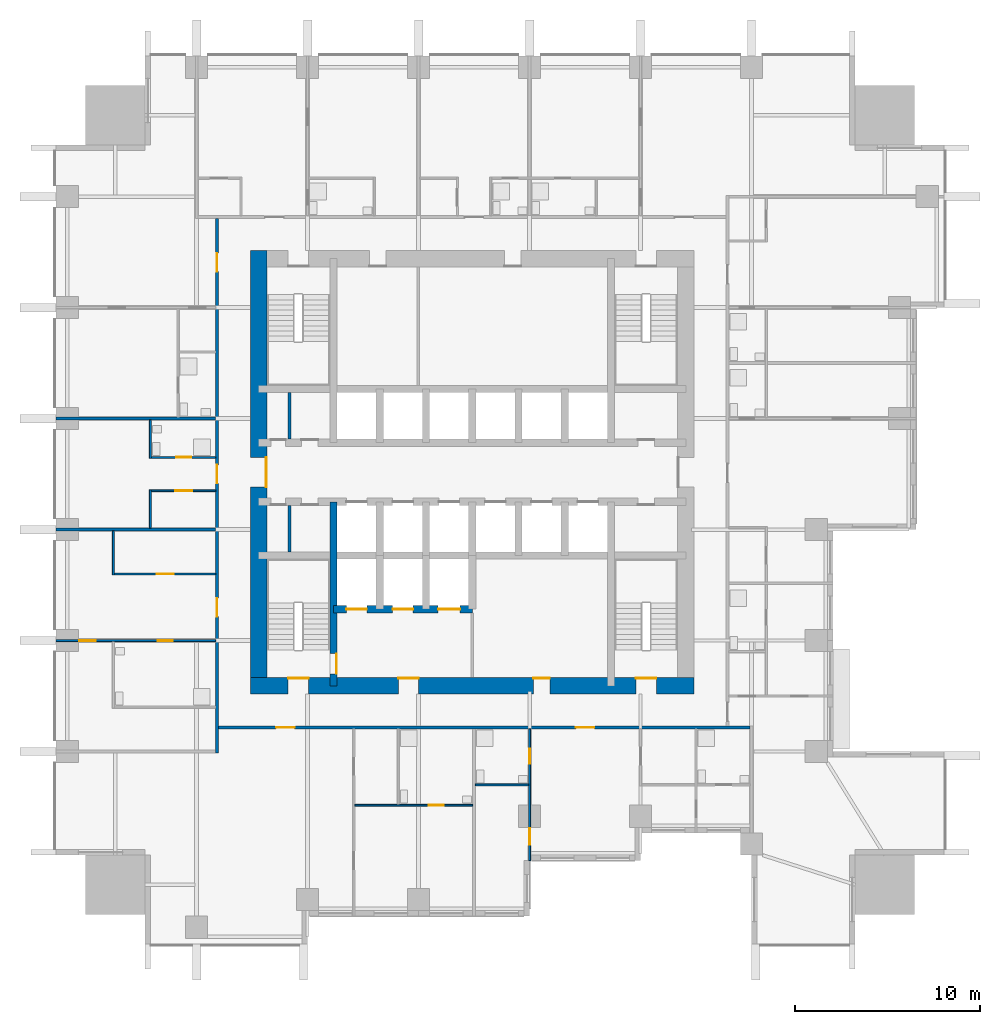
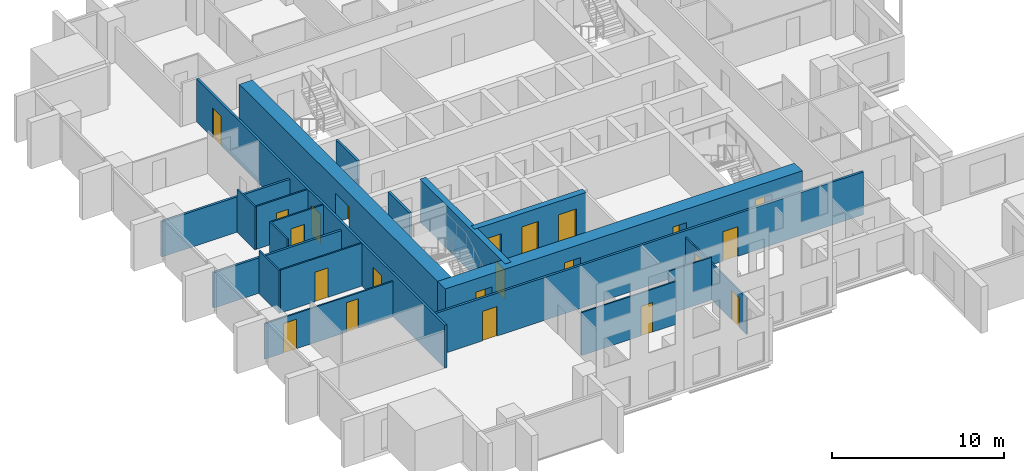
# One storey, part 4 of 11: 22 doors, 20 walls, 22 openings.
"""IFC4 building model written with IfcOpenShell, lengths in metres."""

from ifc_helpers import new_model, si_unit, direction, frame, frame_2d, origin, place, context, subcontext, project, spatial, rectangle, extrude, material, layer, layer_set, type_object, element, fill, save


model = new_model("IFC4")

# Units and contexts
model_context = context("Model", 3, precision=1e-05, world=origin(), true_north=direction((0.0, 1.0)))
body_context = subcontext(model_context, "Body", "Model", "MODEL_VIEW")
ifc_project = project(units=[si_unit("LENGTHUNIT", "METRE"), si_unit("AREAUNIT", "SQUARE_METRE"), si_unit("VOLUMEUNIT", "CUBIC_METRE"), si_unit("PLANEANGLEUNIT", "RADIAN"), si_unit("MASSUNIT", "GRAM", prefix="KILO")], contexts=[model_context])

# Site, building, storey
site_placement = place(None, origin())
site = spatial("IfcSite", under=ifc_project, at=site_placement, CompositionType="ELEMENT")
building_placement = place(site_placement, origin())
building = spatial("IfcBuilding", under=site, at=building_placement, Name="Amberfall Residences", CompositionType="ELEMENT")
storey_placement = place(building_placement, frame((0.0, 0.0, 59.800048828125)))
storey = spatial("IfcBuildingStorey", under=building, at=storey_placement, Name="L16", CompositionType="ELEMENT", Elevation=59.800048828125)

# Wall, opening, door
ifc_material_1 = material(Name="Concrete C80", Category="concrete")
ifc_layer_1 = layer(ifc_material_1, 0.39990234375)
ifc_layer_set_1 = layer_set([ifc_layer_1], Name="Core wall 400 C80")
wall_type_1 = type_object("IfcWallType", Name="Core wall 400 C80", PredefinedType="SHEAR", material=ifc_layer_set_1)
wall_1_placement = place(storey_placement, frame((67.0, 33.949951171875, 0.0), z_axis=(0.0, 0.0, 1.0), x_axis=(0.0, 1.0, 0.0)))
wall_1 = element("IfcWall", 1, at=wall_1_placement, inside=storey, type_object=wall_type_1, Name="Core wall RW2 L16 V45S", PredefinedType="SHEAR", context=body_context, shape_type="SweptSolid", body=[
    extrude(rectangle(XDim=9.949951171875, YDim=0.39990234375, at=frame_2d((4.97509765625, 0.0))), origin(), (0.0, 0.0, 1.0), 3.050048828125),
])
opening_1_placement = place(wall_1_placement, frame((0.64990234375, 0.0, 0.0)))
opening_1 = element("IfcOpeningElement", 2, at=opening_1_placement, cuts=wall_1, Name="Opening FL1", PredefinedType="OPENING", context=body_context, shape_type="SweptSolid", body=[
    extrude(rectangle(XDim=1.10009765625, YDim=2.10009765625, at=frame_2d((0.550048828125, 1.050048828125))), frame((0.0, 0.2099609375, 0.0), z_axis=(0.0, -1.0, 0.0), x_axis=(1.0, 0.0, 0.0)), (0.0, 0.0, 1.0), 0.419921875),
])
ifc_material_2 = material(Name="Steel fire door set", Category="steel")
door_type_1 = type_object("IfcDoorType", Name="Firefighting lobby door 1100 x 2100", OperationType="SINGLE_SWING_LEFT", PredefinedType="DOOR", material=ifc_material_2)
door_1_placement = place(opening_1_placement, origin())
door_1 = element("IfcDoor", 3, at=door_1_placement, inside=storey, type_object=door_type_1, Name="FL1 L16", OperationType="SINGLE_SWING_RIGHT", OverallHeight=2.10009765625, OverallWidth=1.10009765625, PredefinedType="DOOR", context=body_context, shape_type="SweptSolid", body=[
    extrude(rectangle(XDim=1.10009765625, YDim=2.10009765625, at=frame_2d((0.550048828125, 1.050048828125))), frame((0.0, -0.1376953125, 0.0), z_axis=(0.0, -1.0, 0.0), x_axis=(1.0, 0.0, 0.0)), (0.0, 0.0, 1.0), 0.050048828125),
])
fill(opening_1, door_1)

# Wall, openings, doors
wall_2_placement = place(storey_placement, frame((67.0, 38.10009765625, 0.0), z_axis=(0.0, 0.0, 1.0), x_axis=(1.0, 0.0, 0.0)))
wall_2 = element("IfcWall", 4, at=wall_2_placement, inside=storey, type_object=wall_type_1, Name="Core wall RW2 L16 FFF", PredefinedType="SHEAR", context=body_context, shape_type="SweptSolid", body=[
    extrude(rectangle(XDim=7.5, YDim=0.39990234375, at=frame_2d((3.75, 0.0))), origin(), (0.0, 0.0, 1.0), 3.050048828125),
])
opening_2_placement = place(wall_2_placement, frame((0.699951171875, 0.0, 0.0)))
opening_2 = element("IfcOpeningElement", 5, at=opening_2_placement, cuts=wall_2, Name="Opening LD2", PredefinedType="OPENING", context=body_context, shape_type="SweptSolid", body=[
    extrude(rectangle(XDim=1.10009765625, YDim=2.10009765625, at=frame_2d((0.550048828125, 1.050048828125))), frame((0.0, 0.2099609375, 0.0), z_axis=(0.0, -1.0, 0.0), x_axis=(1.0, 0.0, 0.0)), (0.0, 0.0, 1.0), 0.419921875),
])
opening_3_placement = place(wall_2_placement, frame((3.199951171875, 0.0, 0.0)))
opening_3 = element("IfcOpeningElement", 6, at=opening_3_placement, cuts=wall_2, Name="Opening LD2", PredefinedType="OPENING", context=body_context, shape_type="SweptSolid", body=[
    extrude(rectangle(XDim=1.10009765625, YDim=2.10009765625, at=frame_2d((0.550048828125, 1.050048828125))), frame((0.0, 0.2099609375, 0.0), z_axis=(0.0, -1.0, 0.0), x_axis=(1.0, 0.0, 0.0)), (0.0, 0.0, 1.0), 0.419921875),
])
opening_4_placement = place(wall_2_placement, frame((5.64990234375, 0.0, 0.0)))
opening_4 = element("IfcOpeningElement", 7, at=opening_4_placement, cuts=wall_2, Name="Opening LD3", PredefinedType="OPENING", context=body_context, shape_type="SweptSolid", body=[
    extrude(rectangle(XDim=1.199951171875, YDim=2.10009765625, at=frame_2d((0.60009765625, 1.050048828125))), frame((0.0, 0.2099609375, 0.0), z_axis=(0.0, -1.0, 0.0), x_axis=(1.0, 0.0, 0.0)), (0.0, 0.0, 1.0), 0.419921875),
])
door_type_2 = type_object("IfcDoorType", Name="Firefighting lift landing door 1100 x 2100", OperationType="DOUBLE_DOOR_SLIDING", PredefinedType="DOOR", material=ifc_material_2)
door_2_placement = place(opening_2_placement, origin())
door_2 = element("IfcDoor", 8, at=door_2_placement, inside=storey, type_object=door_type_2, Name="Landing door FF1 L16", OperationType="DOUBLE_DOOR_SLIDING", OverallHeight=2.10009765625, OverallWidth=1.10009765625, PredefinedType="DOOR", context=body_context, shape_type="SweptSolid", body=[
    extrude(rectangle(XDim=1.10009765625, YDim=2.10009765625, at=frame_2d((0.550048828125, 1.050048828125))), frame((0.0, 0.02490234375, 0.0), z_axis=(0.0, -1.0, 0.0), x_axis=(1.0, 0.0, 0.0)), (0.0, 0.0, 1.0), 0.050048828125),
])
fill(opening_2, door_2)
door_3_placement = place(opening_3_placement, origin())
door_3 = element("IfcDoor", 9, at=door_3_placement, inside=storey, type_object=door_type_2, Name="Landing door FF2 L16", OperationType="DOUBLE_DOOR_SLIDING", OverallHeight=2.10009765625, OverallWidth=1.10009765625, PredefinedType="DOOR", context=body_context, shape_type="SweptSolid", body=[
    extrude(rectangle(XDim=1.10009765625, YDim=2.10009765625, at=frame_2d((0.550048828125, 1.050048828125))), frame((0.0, 0.02490234375, 0.0), z_axis=(0.0, -1.0, 0.0), x_axis=(1.0, 0.0, 0.0)), (0.0, 0.0, 1.0), 0.050048828125),
])
fill(opening_3, door_3)
door_type_3 = type_object("IfcDoorType", Name="Service lift landing door 1200 x 2100", OperationType="DOUBLE_DOOR_SLIDING", PredefinedType="DOOR", material=ifc_material_2)
door_4_placement = place(opening_4_placement, origin())
door_4 = element("IfcDoor", 10, at=door_4_placement, inside=storey, type_object=door_type_3, Name="Landing door SL1 L16", OperationType="DOUBLE_DOOR_SLIDING", OverallHeight=2.10009765625, OverallWidth=1.199951171875, PredefinedType="DOOR", context=body_context, shape_type="SweptSolid", body=[
    extrude(rectangle(XDim=1.199951171875, YDim=2.10009765625, at=frame_2d((0.60009765625, 1.050048828125))), frame((0.0, 0.02490234375, 0.0), z_axis=(0.0, -1.0, 0.0), x_axis=(1.0, 0.0, 0.0)), (0.0, 0.0, 1.0), 0.050048828125),
])
fill(opening_4, door_4)

ifc_layer_2 = layer(ifc_material_1, 0.89990234375)
ifc_layer_set_2 = layer_set([ifc_layer_2], Name="Core wall 900 C80")
wall_type_2 = type_object("IfcWallType", Name="Core wall 900 C80", PredefinedType="SHEAR", material=ifc_layer_set_2)
wall_3_placement = place(storey_placement, frame((62.5, 33.949951171875, 0.0), z_axis=(0.0, 0.0, 1.0), x_axis=(1.0, 0.0, 0.0)))
wall_3 = element("IfcWall", 11, at=wall_3_placement, inside=storey, type_object=wall_type_2, Name="Core wall RW1 L16 OS", PredefinedType="SHEAR", context=body_context, shape_type="SweptSolid", body=[
    extrude(rectangle(XDim=24.0, YDim=0.89990234375, at=frame_2d((12.0, 0.0))), origin(), (0.0, 0.0, 1.0), 3.050048828125),
])
opening_5_placement = place(wall_3_placement, frame((2.050048828125, 0.0, 0.0)))
opening_5 = element("IfcOpeningElement", 12, at=opening_5_placement, cuts=wall_3, Name="Opening SD1", PredefinedType="OPENING", context=body_context, shape_type="SweptSolid", body=[
    extrude(rectangle(XDim=1.10009765625, YDim=2.10009765625, at=frame_2d((0.550048828125, 1.050048828125))), frame((0.0, 0.4599609375, 0.0), z_axis=(0.0, -1.0, 0.0), x_axis=(1.0, 0.0, 0.0)), (0.0, 0.0, 1.0), 0.919921875),
])
opening_6_placement = place(wall_3_placement, frame((20.85009765625, 0.0, 0.0)))
opening_6 = element("IfcOpeningElement", 13, at=opening_6_placement, cuts=wall_3, Name="Opening SD1", PredefinedType="OPENING", context=body_context, shape_type="SweptSolid", body=[
    extrude(rectangle(XDim=1.10009765625, YDim=2.10009765625, at=frame_2d((0.550048828125, 1.050048828125))), frame((0.0, 0.4599609375, 0.0), z_axis=(0.0, -1.0, 0.0), x_axis=(1.0, 0.0, 0.0)), (0.0, 0.0, 1.0), 0.919921875),
])
opening_7_placement = place(wall_3_placement, frame((8.0, 0.0, 0.0)))
opening_7 = element("IfcOpeningElement", 14, at=opening_7_placement, cuts=wall_3, Name="Opening FL1", PredefinedType="OPENING", context=body_context, shape_type="SweptSolid", body=[
    extrude(rectangle(XDim=1.10009765625, YDim=2.10009765625, at=frame_2d((0.550048828125, 1.050048828125))), frame((0.0, 0.4599609375, 0.0), z_axis=(0.0, -1.0, 0.0), x_axis=(1.0, 0.0, 0.0)), (0.0, 0.0, 1.0), 0.919921875),
])
opening_8_placement = place(wall_3_placement, frame((15.300048828125, 0.0, 0.0)))
opening_8 = element("IfcOpeningElement", 15, at=opening_8_placement, cuts=wall_3, Name="Opening RD1", PredefinedType="OPENING", context=body_context, shape_type="SweptSolid", body=[
    extrude(rectangle(XDim=0.89990234375, YDim=2.10009765625, at=frame_2d((0.449951171875, 1.050048828125))), frame((0.0, 0.4599609375, 0.0), z_axis=(0.0, -1.0, 0.0), x_axis=(1.0, 0.0, 0.0)), (0.0, 0.0, 1.0), 0.919921875),
])
door_5_placement = place(opening_7_placement, origin())
door_5 = element("IfcDoor", 16, at=door_5_placement, inside=storey, type_object=door_type_1, Name="FL1 L16", OperationType="SINGLE_SWING_LEFT", OverallHeight=2.10009765625, OverallWidth=1.10009765625, PredefinedType="DOOR", context=body_context, shape_type="SweptSolid", body=[
    extrude(rectangle(XDim=1.10009765625, YDim=2.10009765625, at=frame_2d((0.550048828125, 1.050048828125))), frame((0.0, 0.4375, 0.0), z_axis=(0.0, -1.0, 0.0), x_axis=(1.0, 0.0, 0.0)), (0.0, 0.0, 1.0), 0.050048828125),
])
fill(opening_7, door_5)
door_type_4 = type_object("IfcDoorType", Name="Service room door 900 x 2100", OperationType="SINGLE_SWING_LEFT", PredefinedType="DOOR", material=ifc_material_2)
door_6_placement = place(opening_8_placement, origin())
door_6 = element("IfcDoor", 17, at=door_6_placement, inside=storey, type_object=door_type_4, Name="RD1 L16", OperationType="SINGLE_SWING_LEFT", OverallHeight=2.10009765625, OverallWidth=0.89990234375, PredefinedType="DOOR", context=body_context, shape_type="SweptSolid", body=[
    extrude(rectangle(XDim=0.89990234375, YDim=2.10009765625, at=frame_2d((0.449951171875, 1.050048828125))), frame((0.0, 0.4375, 0.0), z_axis=(0.0, -1.0, 0.0), x_axis=(1.0, 0.0, 0.0)), (0.0, 0.0, 1.0), 0.050048828125),
])
fill(opening_8, door_6)
door_type_5 = type_object("IfcDoorType", Name="Stair door 1100 x 2100", OperationType="SINGLE_SWING_LEFT", PredefinedType="DOOR", material=ifc_material_2)
door_7_placement = place(opening_5_placement, origin())
door_7 = element("IfcDoor", 18, at=door_7_placement, inside=storey, type_object=door_type_5, Name="SD1 L16", OperationType="SINGLE_SWING_LEFT", OverallHeight=2.10009765625, OverallWidth=1.10009765625, PredefinedType="DOOR", context=body_context, shape_type="SweptSolid", body=[
    extrude(rectangle(XDim=1.10009765625, YDim=2.10009765625, at=frame_2d((0.550048828125, 1.050048828125))), frame((0.0, 0.4375, 0.0), z_axis=(0.0, -1.0, 0.0), x_axis=(1.0, 0.0, 0.0)), (0.0, 0.0, 1.0), 0.050048828125),
])
fill(opening_5, door_7)
door_8_placement = place(opening_6_placement, origin())
door_8 = element("IfcDoor", 19, at=door_8_placement, inside=storey, type_object=door_type_5, Name="SD1 L16", OperationType="SINGLE_SWING_RIGHT", OverallHeight=2.10009765625, OverallWidth=1.10009765625, PredefinedType="DOOR", context=body_context, shape_type="SweptSolid", body=[
    extrude(rectangle(XDim=1.10009765625, YDim=2.10009765625, at=frame_2d((0.550048828125, 1.050048828125))), frame((0.0, 0.4375, 0.0), z_axis=(0.0, -1.0, 0.0), x_axis=(1.0, 0.0, 0.0)), (0.0, 0.0, 1.0), 0.050048828125),
])
fill(opening_6, door_8)

# Wall, opening, door
wall_4_placement = place(storey_placement, frame((62.949951171875, 33.5, 0.0), z_axis=(0.0, 0.0, 1.0), x_axis=(0.0, 1.0, 0.0)))
wall_4 = element("IfcWall", 20, at=wall_4_placement, inside=storey, type_object=wall_type_2, Name="Core wall RW1 L16 OW", PredefinedType="SHEAR", context=body_context, shape_type="SweptSolid", body=[
    extrude(rectangle(XDim=24.0, YDim=0.89990234375, at=frame_2d((12.0, 0.0))), origin(), (0.0, 0.0, 1.0), 3.050048828125),
])
opening_9_placement = place(wall_4_placement, frame((11.199951171875, 0.0, 0.0)))
opening_9 = element("IfcOpeningElement", 21, at=opening_9_placement, cuts=wall_4, Name="Opening LB1", PredefinedType="OPENING", context=body_context, shape_type="SweptSolid", body=[
    extrude(rectangle(XDim=1.60009765625, YDim=2.10009765625, at=frame_2d((0.800048828125, 1.050048828125))), frame((0.0, 0.4599609375, 0.0), z_axis=(0.0, -1.0, 0.0), x_axis=(1.0, 0.0, 0.0)), (0.0, 0.0, 1.0), 0.919921875),
])
door_type_6 = type_object("IfcDoorType", Name="Lift lobby double door 1600 x 2100", OperationType="DOUBLE_DOOR_SINGLE_SWING", PredefinedType="DOOR", material=ifc_material_2)
door_9_placement = place(opening_9_placement, origin())
door_9 = element("IfcDoor", 22, at=door_9_placement, inside=storey, type_object=door_type_6, Name="LB1 L16", OperationType="DOUBLE_DOOR_SINGLE_SWING", OverallHeight=2.10009765625, OverallWidth=1.60009765625, PredefinedType="DOOR", context=body_context, shape_type="SweptSolid", body=[
    extrude(rectangle(XDim=1.60009765625, YDim=2.10009765625, at=frame_2d((0.800048828125, 1.050048828125))), frame((0.0, -0.3876953125, 0.0), z_axis=(0.0, -1.0, 0.0), x_axis=(1.0, 0.0, 0.0)), (0.0, 0.0, 1.0), 0.050048828125),
])
fill(opening_9, door_9)

# Walls
ifc_material_3 = material(Name="Gypsum board on metal stud")
ifc_layer_3 = layer(ifc_material_3, 0.10009765625)
ifc_layer_set_3 = layer_set([ifc_layer_3], Name="Flat partition 100")
wall_type_3 = type_object("IfcWallType", Name="Flat partition 100", PredefinedType="PARTITIONING", material=ifc_layer_set_3)
wall_5_placement = place(storey_placement, frame((55.10009765625, 39.949951171875, 0.0), z_axis=(0.0, 0.0, 1.0), x_axis=(0.0, 1.0, 0.0)))
element("IfcWall", 23, at=wall_5_placement, inside=storey, type_object=wall_type_3, Name="Partition 002", PredefinedType="PARTITIONING", context=body_context, shape_type="SweptSolid", body=[
    extrude(rectangle(XDim=2.375, YDim=0.10009765625, at=frame_2d((1.1875, 0.0))), origin(), (0.0, 0.0, 1.0), 3.050048828125),
])
for number, where, z_axis, x_axis, name in (
    (24, (57.10009765625, 42.47509765625, 0.0), (0.0, 0.0, 1.0), (0.0, 1.0, 0.0), "Partition 003"),
    (25, (57.10009765625, 46.25, 0.0), (0.0, 0.0, 1.0), (0.0, 1.0, 0.0), "Partition 004"),
):
    element("IfcWall", number, at=place(storey_placement, frame(where, z_axis=z_axis, x_axis=x_axis)), inside=storey, type_object=wall_type_3, Name=name, PredefinedType="PARTITIONING", context=body_context, shape_type="SweptSolid", body=[
        extrude(rectangle(XDim=2.074951171875, YDim=0.10009765625, at=frame_2d((1.03759765625, 0.0))), origin(), (0.0, 0.0, 1.0), 3.050048828125),
    ])

# Wall, openings, doors
wall_6_placement = place(storey_placement, frame((77.60009765625, 24.5, 0.0), z_axis=(0.0, 0.0, 1.0), x_axis=(0.0, 1.0, 0.0)))
wall_6 = element("IfcWall", 26, at=wall_6_placement, inside=storey, type_object=wall_type_3, Name="Partition 013", PredefinedType="PARTITIONING", context=body_context, shape_type="SweptSolid", body=[
    extrude(rectangle(XDim=7.125, YDim=0.10009765625, at=frame_2d((3.5625, 0.0))), origin(), (0.0, 0.0, 1.0), 2.58984375),
])
opening_10_placement = place(wall_6_placement, frame((0.85009765625, 0.0, 0.0)))
opening_10 = element("IfcOpeningElement", 27, at=opening_10_placement, cuts=wall_6, Name="Opening D41", PredefinedType="OPENING", context=body_context, shape_type="SweptSolid", body=[
    extrude(rectangle(XDim=0.89990234375, YDim=2.10009765625, at=frame_2d((0.449951171875, 1.050048828125))), frame((0.0, 0.06005859375, 0.0), z_axis=(0.0, -1.0, 0.0), x_axis=(1.0, 0.0, 0.0)), (0.0, 0.0, 1.0), 0.1201171875),
])
opening_11_placement = place(wall_6_placement, frame((5.25, 0.0, 0.0)))
opening_11 = element("IfcOpeningElement", 28, at=opening_11_placement, cuts=wall_6, Name="Opening D42", PredefinedType="OPENING", context=body_context, shape_type="SweptSolid", body=[
    extrude(rectangle(XDim=0.800048828125, YDim=2.10009765625, at=frame_2d((0.39990234375, 1.050048828125))), frame((0.0, 0.06005859375, 0.0), z_axis=(0.0, -1.0, 0.0), x_axis=(1.0, 0.0, 0.0)), (0.0, 0.0, 1.0), 0.1201171875),
])
ifc_material_4 = material(Name="Timber", Category="wood")
door_type_7 = type_object("IfcDoorType", Name="Bathroom door 800 x 2100", OperationType="SINGLE_SWING_LEFT", PredefinedType="DOOR", material=ifc_material_4)
door_10_placement = place(opening_11_placement, origin())
door_10 = element("IfcDoor", 29, at=door_10_placement, inside=storey, type_object=door_type_7, Name="Door 1602 bath1", OperationType="SINGLE_SWING_LEFT", OverallHeight=2.10009765625, OverallWidth=0.800048828125, PredefinedType="DOOR", context=body_context, shape_type="SweptSolid", body=[
    extrude(rectangle(XDim=0.800048828125, YDim=2.10009765625, at=frame_2d((0.39990234375, 1.050048828125))), frame((0.0, 0.02490234375, 0.0), z_axis=(0.0, -1.0, 0.0), x_axis=(1.0, 0.0, 0.0)), (0.0, 0.0, 1.0), 0.050048828125),
])
fill(opening_11, door_10)
door_type_8 = type_object("IfcDoorType", Name="Internal door 900 x 2100", OperationType="SINGLE_SWING_LEFT", PredefinedType="DOOR", material=ifc_material_4)
door_11_placement = place(opening_10_placement, origin())
door_11 = element("IfcDoor", 30, at=door_11_placement, inside=storey, type_object=door_type_8, Name="Door 1602 bedroom1", OperationType="SINGLE_SWING_LEFT", OverallHeight=2.10009765625, OverallWidth=0.89990234375, PredefinedType="DOOR", context=body_context, shape_type="SweptSolid", body=[
    extrude(rectangle(XDim=0.89990234375, YDim=2.10009765625, at=frame_2d((0.449951171875, 1.050048828125))), frame((0.0, 0.02490234375, 0.0), z_axis=(0.0, -1.0, 0.0), x_axis=(1.0, 0.0, 0.0)), (0.0, 0.0, 1.0), 0.050048828125),
])
fill(opening_10, door_11)

# Wall, opening, door
wall_7_placement = place(storey_placement, frame((57.14990234375, 46.300048828125, 0.0), z_axis=(0.0, 0.0, 1.0), x_axis=(1.0, 0.0, 0.0)))
wall_7 = element("IfcWall", 31, at=wall_7_placement, inside=storey, type_object=wall_type_3, Name="Partition 030", PredefinedType="PARTITIONING", context=body_context, shape_type="SweptSolid", body=[
    extrude(rectangle(XDim=3.47509765625, YDim=0.10009765625, at=frame_2d((1.737548828125, 0.0))), origin(), (0.0, 0.0, 1.0), 3.050048828125),
])
opening_12_placement = place(wall_7_placement, frame((1.35009765625, 0.0, 0.0)))
opening_12 = element("IfcOpeningElement", 32, at=opening_12_placement, cuts=wall_7, Name="Opening D42", PredefinedType="OPENING", context=body_context, shape_type="SweptSolid", body=[
    extrude(rectangle(XDim=0.800048828125, YDim=2.10009765625, at=frame_2d((0.39990234375, 1.050048828125))), frame((0.0, 0.06005859375, 0.0), z_axis=(0.0, -1.0, 0.0), x_axis=(1.0, 0.0, 0.0)), (0.0, 0.0, 1.0), 0.1201171875),
])
door_12_placement = place(opening_12_placement, origin())
door_12 = element("IfcDoor", 33, at=door_12_placement, inside=storey, type_object=door_type_7, Name="Door 1610 bath1", OperationType="SINGLE_SWING_LEFT", OverallHeight=2.10009765625, OverallWidth=0.800048828125, PredefinedType="DOOR", context=body_context, shape_type="SweptSolid", body=[
    extrude(rectangle(XDim=0.800048828125, YDim=2.10009765625, at=frame_2d((0.39990234375, 1.050048828125))), frame((0.0, 0.02490234375, 0.0), z_axis=(0.0, -1.0, 0.0), x_axis=(1.0, 0.0, 0.0)), (0.0, 0.0, 1.0), 0.050048828125),
])
fill(opening_12, door_12)

wall_8_placement = place(storey_placement, frame((60.625, 44.5, 0.0), z_axis=(0.0, 0.0, 1.0), x_axis=(-1.0, 0.0, 0.0)))
wall_8 = element("IfcWall", 34, at=wall_8_placement, inside=storey, type_object=wall_type_3, Name="Partition 031", PredefinedType="PARTITIONING", context=body_context, shape_type="SweptSolid", body=[
    extrude(rectangle(XDim=3.47509765625, YDim=0.10009765625, at=frame_2d((1.737548828125, 0.0))), origin(), (0.0, 0.0, 1.0), 3.050048828125),
])
opening_13_placement = place(wall_8_placement, frame((1.27490234375, 0.0, 0.0)))
opening_13 = element("IfcOpeningElement", 35, at=opening_13_placement, cuts=wall_8, Name="Opening D41", PredefinedType="OPENING", context=body_context, shape_type="SweptSolid", body=[
    extrude(rectangle(XDim=0.89990234375, YDim=2.10009765625, at=frame_2d((0.449951171875, 1.050048828125))), frame((0.0, 0.06005859375, 0.0), z_axis=(0.0, -1.0, 0.0), x_axis=(1.0, 0.0, 0.0)), (0.0, 0.0, 1.0), 0.1201171875),
])
door_13_placement = place(opening_13_placement, origin())
door_13 = element("IfcDoor", 36, at=door_13_placement, inside=storey, type_object=door_type_8, Name="Door 1610 kitchen", OperationType="SINGLE_SWING_LEFT", OverallHeight=2.10009765625, OverallWidth=0.89990234375, PredefinedType="DOOR", context=body_context, shape_type="SweptSolid", body=[
    extrude(rectangle(XDim=0.89990234375, YDim=2.10009765625, at=frame_2d((0.449951171875, 1.050048828125))), frame((0.0, 0.02490234375, 0.0), z_axis=(0.0, -1.0, 0.0), x_axis=(1.0, 0.0, 0.0)), (0.0, 0.0, 1.0), 0.050048828125),
])
fill(opening_13, door_13)

wall_9_placement = place(storey_placement, frame((55.14990234375, 40.0, 0.0), z_axis=(0.0, 0.0, 1.0), x_axis=(1.0, 0.0, 0.0)))
wall_9 = element("IfcWall", 37, at=wall_9_placement, inside=storey, type_object=wall_type_3, Name="Partition 033", PredefinedType="PARTITIONING", context=body_context, shape_type="SweptSolid", body=[
    extrude(rectangle(XDim=5.47509765625, YDim=0.10009765625, at=frame_2d((2.737548828125, 0.0))), origin(), (0.0, 0.0, 1.0), 3.050048828125),
])
opening_14_placement = place(wall_9_placement, frame((2.300048828125, 0.0, 0.0)))
opening_14 = element("IfcOpeningElement", 38, at=opening_14_placement, cuts=wall_9, Name="Opening D41", PredefinedType="OPENING", context=body_context, shape_type="SweptSolid", body=[
    extrude(rectangle(XDim=0.89990234375, YDim=2.10009765625, at=frame_2d((0.449951171875, 1.050048828125))), frame((0.0, 0.06005859375, 0.0), z_axis=(0.0, -1.0, 0.0), x_axis=(1.0, 0.0, 0.0)), (0.0, 0.0, 1.0), 0.1201171875),
])
door_14_placement = place(opening_14_placement, origin())
door_14 = element("IfcDoor", 39, at=door_14_placement, inside=storey, type_object=door_type_8, Name="Door 1609 kitchen", OperationType="SINGLE_SWING_LEFT", OverallHeight=2.10009765625, OverallWidth=0.89990234375, PredefinedType="DOOR", context=body_context, shape_type="SweptSolid", body=[
    extrude(rectangle(XDim=0.89990234375, YDim=2.10009765625, at=frame_2d((0.449951171875, 1.050048828125))), frame((0.0, 0.02490234375, 0.0), z_axis=(0.0, -1.0, 0.0), x_axis=(1.0, 0.0, 0.0)), (0.0, 0.0, 1.0), 0.050048828125),
])
fill(opening_14, door_14)

# Wall, openings, doors
wall_10_placement = place(storey_placement, frame((60.625, 36.39990234375, 0.0), z_axis=(0.0, 0.0, 1.0), x_axis=(-1.0, 0.0, 0.0)))
wall_10 = element("IfcWall", 40, at=wall_10_placement, inside=storey, type_object=wall_type_3, Name="Partition 034", PredefinedType="PARTITIONING", context=body_context, shape_type="SweptSolid", body=[
    extrude(rectangle(XDim=8.625, YDim=0.10009765625, at=frame_2d((4.3125, 0.0))), origin(), (0.0, 0.0, 1.0), 2.515869140625),
])
opening_15_placement = place(wall_10_placement, frame((6.47509765625, 0.0, 0.0)))
opening_15 = element("IfcOpeningElement", 41, at=opening_15_placement, cuts=wall_10, Name="Opening D41", PredefinedType="OPENING", context=body_context, shape_type="SweptSolid", body=[
    extrude(rectangle(XDim=0.89990234375, YDim=2.10009765625, at=frame_2d((0.449951171875, 1.050048828125))), frame((0.0, 0.06005859375, 0.0), z_axis=(0.0, -1.0, 0.0), x_axis=(1.0, 0.0, 0.0)), (0.0, 0.0, 1.0), 0.1201171875),
])
opening_16_placement = place(wall_10_placement, frame((2.324951171875, 0.0, 0.0)))
opening_16 = element("IfcOpeningElement", 42, at=opening_16_placement, cuts=wall_10, Name="Opening D42", PredefinedType="OPENING", context=body_context, shape_type="SweptSolid", body=[
    extrude(rectangle(XDim=0.800048828125, YDim=2.10009765625, at=frame_2d((0.39990234375, 1.050048828125))), frame((0.0, 0.06005859375, 0.0), z_axis=(0.0, -1.0, 0.0), x_axis=(1.0, 0.0, 0.0)), (0.0, 0.0, 1.0), 0.1201171875),
])
door_15_placement = place(opening_16_placement, origin())
door_15 = element("IfcDoor", 43, at=door_15_placement, inside=storey, type_object=door_type_7, Name="Door 1609 bath1", OperationType="SINGLE_SWING_LEFT", OverallHeight=2.10009765625, OverallWidth=0.800048828125, PredefinedType="DOOR", context=body_context, shape_type="SweptSolid", body=[
    extrude(rectangle(XDim=0.800048828125, YDim=2.10009765625, at=frame_2d((0.39990234375, 1.050048828125))), frame((0.0, 0.02490234375, 0.0), z_axis=(0.0, -1.0, 0.0), x_axis=(1.0, 0.0, 0.0)), (0.0, 0.0, 1.0), 0.050048828125),
])
fill(opening_16, door_15)
door_16_placement = place(opening_15_placement, origin())
door_16 = element("IfcDoor", 44, at=door_16_placement, inside=storey, type_object=door_type_8, Name="Door 1609 bedroom1", OperationType="SINGLE_SWING_LEFT", OverallHeight=2.10009765625, OverallWidth=0.89990234375, PredefinedType="DOOR", context=body_context, shape_type="SweptSolid", body=[
    extrude(rectangle(XDim=0.89990234375, YDim=2.10009765625, at=frame_2d((0.449951171875, 1.050048828125))), frame((0.0, 0.02490234375, 0.0), z_axis=(0.0, -1.0, 0.0), x_axis=(1.0, 0.0, 0.0)), (0.0, 0.0, 1.0), 0.050048828125),
])
fill(opening_15, door_16)

# Wall
wall_11_placement = place(storey_placement, frame((74.675048828125, 28.60009765625, 0.0), z_axis=(0.0, 0.0, 1.0), x_axis=(1.0, 0.0, 0.0)))
element("IfcWall", 45, at=wall_11_placement, inside=storey, type_object=wall_type_3, Name="Partition 038", PredefinedType="PARTITIONING", context=body_context, shape_type="SweptSolid", body=[
    extrude(rectangle(XDim=2.875, YDim=0.10009765625, at=frame_2d((1.4375, 0.0))), origin(), (0.0, 0.0, 1.0), 3.050048828125),
])

# Wall, opening, door
wall_12_placement = place(storey_placement, frame((68.14990234375, 27.5, 0.0), z_axis=(0.0, 0.0, 1.0), x_axis=(1.0, 0.0, 0.0)))
wall_12 = element("IfcWall", 46, at=wall_12_placement, inside=storey, type_object=wall_type_3, Name="Partition 040", PredefinedType="PARTITIONING", context=body_context, shape_type="SweptSolid", body=[
    extrude(rectangle(XDim=6.375, YDim=0.10009765625, at=frame_2d((3.1875, 0.0))), origin(), (0.0, 0.0, 1.0), 3.050048828125),
])
opening_17_placement = place(wall_12_placement, frame((4.0, 0.0, 0.0)))
opening_17 = element("IfcOpeningElement", 47, at=opening_17_placement, cuts=wall_12, Name="Opening D42", PredefinedType="OPENING", context=body_context, shape_type="SweptSolid", body=[
    extrude(rectangle(XDim=0.800048828125, YDim=2.10009765625, at=frame_2d((0.39990234375, 1.050048828125))), frame((0.0, 0.06005859375, 0.0), z_axis=(0.0, -1.0, 0.0), x_axis=(1.0, 0.0, 0.0)), (0.0, 0.0, 1.0), 0.1201171875),
])
door_17_placement = place(opening_17_placement, origin())
door_17 = element("IfcDoor", 48, at=door_17_placement, inside=storey, type_object=door_type_7, Name="Door 1601 bath1", OperationType="SINGLE_SWING_LEFT", OverallHeight=2.10009765625, OverallWidth=0.800048828125, PredefinedType="DOOR", context=body_context, shape_type="SweptSolid", body=[
    extrude(rectangle(XDim=0.800048828125, YDim=2.10009765625, at=frame_2d((0.39990234375, 1.050048828125))), frame((0.0, 0.02490234375, 0.0), z_axis=(0.0, -1.0, 0.0), x_axis=(1.0, 0.0, 0.0)), (0.0, 0.0, 1.0), 0.050048828125),
])
fill(opening_17, door_17)

# Wall, openings, doors
ifc_material_5 = material(Name="Blockwork, plastered", Category="masonry")
ifc_layer_4 = layer(ifc_material_5, 0.14990234375)
ifc_layer_set_4 = layer_set([ifc_layer_4], Name="Flat separating wall 150")
wall_type_4 = type_object("IfcWallType", Name="Flat separating wall 150", PredefinedType="PARTITIONING", material=ifc_layer_set_4)
wall_13_placement = place(storey_placement, frame((60.699951171875, 30.324951171875, 0.0), z_axis=(0.0, 0.0, 1.0), x_axis=(0.0, 1.0, 0.0)))
wall_13 = element("IfcWall", 49, at=wall_13_placement, inside=storey, type_object=wall_type_4, Name="Separating wall 042", PredefinedType="PARTITIONING", context=body_context, shape_type="SweptSolid", body=[
    extrude(rectangle(XDim=28.900146484375, YDim=0.14990234375, at=frame_2d((14.4501953125, 0.0))), origin(), (0.0, 0.0, 1.0), 3.050048828125),
])
opening_18_placement = place(wall_13_placement, frame((7.375, 0.0, 0.0)))
opening_18 = element("IfcOpeningElement", 50, at=opening_18_placement, cuts=wall_13, Name="Opening D40", PredefinedType="OPENING", context=body_context, shape_type="SweptSolid", body=[
    extrude(rectangle(XDim=1.0, YDim=2.10009765625, at=frame_2d((0.5, 1.050048828125))), frame((0.0, 0.0849609375, 0.0), z_axis=(0.0, -1.0, 0.0), x_axis=(1.0, 0.0, 0.0)), (0.0, 0.0, 1.0), 0.169921875),
])
opening_19_placement = place(wall_13_placement, frame((14.574951171875, 0.0, 0.0)))
opening_19 = element("IfcOpeningElement", 51, at=opening_19_placement, cuts=wall_13, Name="Opening D40", PredefinedType="OPENING", context=body_context, shape_type="SweptSolid", body=[
    extrude(rectangle(XDim=1.0, YDim=2.10009765625, at=frame_2d((0.5, 1.050048828125))), frame((0.0, 0.0849609375, 0.0), z_axis=(0.0, -1.0, 0.0), x_axis=(1.0, 0.0, 0.0)), (0.0, 0.0, 1.0), 0.169921875),
])
opening_20_placement = place(wall_13_placement, frame((26.02490234375, 0.0, 0.0)))
opening_20 = element("IfcOpeningElement", 52, at=opening_20_placement, cuts=wall_13, Name="Opening D40", PredefinedType="OPENING", context=body_context, shape_type="SweptSolid", body=[
    extrude(rectangle(XDim=1.0, YDim=2.10009765625, at=frame_2d((0.5, 1.050048828125))), frame((0.0, 0.0849609375, 0.0), z_axis=(0.0, -1.0, 0.0), x_axis=(1.0, 0.0, 0.0)), (0.0, 0.0, 1.0), 0.169921875),
])
ifc_material_6 = material(Name="Timber, fire-rated", Category="wood")
door_type_9 = type_object("IfcDoorType", Name="Flat entrance door FD60 1000 x 2100", OperationType="SINGLE_SWING_LEFT", PredefinedType="DOOR", material=ifc_material_6)
door_18_placement = place(opening_18_placement, origin())
door_18 = element("IfcDoor", 53, at=door_18_placement, inside=storey, type_object=door_type_9, Name="Door 1609 entrance", OperationType="SINGLE_SWING_LEFT", OverallHeight=2.10009765625, OverallWidth=1.0, PredefinedType="DOOR", context=body_context, shape_type="SweptSolid", body=[
    extrude(rectangle(XDim=1.0, YDim=2.10009765625, at=frame_2d((0.5, 1.050048828125))), frame((0.0, 0.02490234375, 0.0), z_axis=(0.0, -1.0, 0.0), x_axis=(1.0, 0.0, 0.0)), (0.0, 0.0, 1.0), 0.050048828125),
])
fill(opening_18, door_18)
door_19_placement = place(opening_19_placement, origin())
door_19 = element("IfcDoor", 54, at=door_19_placement, inside=storey, type_object=door_type_9, Name="Door 1610 entrance", OperationType="SINGLE_SWING_LEFT", OverallHeight=2.10009765625, OverallWidth=1.0, PredefinedType="DOOR", context=body_context, shape_type="SweptSolid", body=[
    extrude(rectangle(XDim=1.0, YDim=2.10009765625, at=frame_2d((0.5, 1.050048828125))), frame((0.0, 0.02490234375, 0.0), z_axis=(0.0, -1.0, 0.0), x_axis=(1.0, 0.0, 0.0)), (0.0, 0.0, 1.0), 0.050048828125),
])
fill(opening_19, door_19)
door_20_placement = place(opening_20_placement, origin())
door_20 = element("IfcDoor", 55, at=door_20_placement, inside=storey, type_object=door_type_9, Name="Door 1611 entrance", OperationType="SINGLE_SWING_LEFT", OverallHeight=2.10009765625, OverallWidth=1.0, PredefinedType="DOOR", context=body_context, shape_type="SweptSolid", body=[
    extrude(rectangle(XDim=1.0, YDim=2.10009765625, at=frame_2d((0.5, 1.050048828125))), frame((0.0, 0.02490234375, 0.0), z_axis=(0.0, -1.0, 0.0), x_axis=(1.0, 0.0, 0.0)), (0.0, 0.0, 1.0), 0.050048828125),
])
fill(opening_20, door_20)

# Walls
for number, where, z_axis, x_axis, name in (
    (56, (52.0, 48.39990234375, 0.0), (0.0, 0.0, 1.0), (1.0, 0.0, 0.0), "Separating wall 051"),
    (57, (52.0, 42.39990234375, 0.0), (0.0, 0.0, 1.0), (1.0, 0.0, 0.0), "Separating wall 052"),
):
    element("IfcWall", number, at=place(storey_placement, frame(where, z_axis=z_axis, x_axis=x_axis)), inside=storey, type_object=wall_type_4, Name=name, PredefinedType="PARTITIONING", context=body_context, shape_type="SweptSolid", body=[
        extrude(rectangle(XDim=8.625, YDim=0.14990234375, at=frame_2d((4.3125, 0.0))), origin(), (0.0, 0.0, 1.0), 2.515869140625),
    ])

# Wall, openings, doors
wall_14_placement = place(storey_placement, frame((89.52490234375, 31.699951171875, 0.0), z_axis=(0.0, 0.0, 1.0), x_axis=(-1.0, 0.0, 0.0)))
wall_14 = element("IfcWall", 58, at=wall_14_placement, inside=storey, type_object=wall_type_4, Name="Separating wall 054", PredefinedType="PARTITIONING", context=body_context, shape_type="SweptSolid", body=[
    extrude(rectangle(XDim=28.75, YDim=0.14990234375, at=frame_2d((14.375, 0.0))), origin(), (0.0, 0.0, 1.0), 3.050048828125),
])
opening_21_placement = place(wall_14_placement, frame((24.625, 0.0, 0.0)))
opening_21 = element("IfcOpeningElement", 59, at=opening_21_placement, cuts=wall_14, Name="Opening D40", PredefinedType="OPENING", context=body_context, shape_type="SweptSolid", body=[
    extrude(rectangle(XDim=1.0, YDim=2.10009765625, at=frame_2d((0.5, 1.050048828125))), frame((0.0, 0.0849609375, 0.0), z_axis=(0.0, -1.0, 0.0), x_axis=(1.0, 0.0, 0.0)), (0.0, 0.0, 1.0), 0.169921875),
])
opening_22_placement = place(wall_14_placement, frame((8.425048828125, 0.0, 0.0)))
opening_22 = element("IfcOpeningElement", 60, at=opening_22_placement, cuts=wall_14, Name="Opening D40", PredefinedType="OPENING", context=body_context, shape_type="SweptSolid", body=[
    extrude(rectangle(XDim=1.0, YDim=2.10009765625, at=frame_2d((0.5, 1.050048828125))), frame((0.0, 0.0849609375, 0.0), z_axis=(0.0, -1.0, 0.0), x_axis=(1.0, 0.0, 0.0)), (0.0, 0.0, 1.0), 0.169921875),
])
door_21_placement = place(opening_21_placement, origin())
door_21 = element("IfcDoor", 61, at=door_21_placement, inside=storey, type_object=door_type_9, Name="Door 1601 entrance", OperationType="SINGLE_SWING_LEFT", OverallHeight=2.10009765625, OverallWidth=1.0, PredefinedType="DOOR", context=body_context, shape_type="SweptSolid", body=[
    extrude(rectangle(XDim=1.0, YDim=2.10009765625, at=frame_2d((0.5, 1.050048828125))), frame((0.0, 0.02490234375, 0.0), z_axis=(0.0, -1.0, 0.0), x_axis=(1.0, 0.0, 0.0)), (0.0, 0.0, 1.0), 0.050048828125),
])
fill(opening_21, door_21)
door_22_placement = place(opening_22_placement, origin())
door_22 = element("IfcDoor", 62, at=door_22_placement, inside=storey, type_object=door_type_9, Name="Door 1602 entrance", OperationType="SINGLE_SWING_LEFT", OverallHeight=2.10009765625, OverallWidth=1.0, PredefinedType="DOOR", context=body_context, shape_type="SweptSolid", body=[
    extrude(rectangle(XDim=1.0, YDim=2.10009765625, at=frame_2d((0.5, 1.050048828125))), frame((0.0, 0.02490234375, 0.0), z_axis=(0.0, -1.0, 0.0), x_axis=(1.0, 0.0, 0.0)), (0.0, 0.0, 1.0), 0.050048828125),
])
fill(opening_22, door_22)

# Walls
ifc_material_7 = material(Name="Concrete blockwork", Category="masonry")
ifc_layer_5 = layer(ifc_material_7, 0.14990234375)
ifc_layer_set_5 = layer_set([ifc_layer_5], Name="Riser wall 150")
wall_type_5 = type_object("IfcWallType", Name="Riser wall 150", PredefinedType="PLUMBINGWALL", material=ifc_layer_set_5)
for number, where, z_axis, x_axis, name in (
    (63, (64.6240234375, 41.199951171875, 0.0), (0.0, 0.0, 1.0), (0.0, 1.0, 0.0), "L16 core wall ASW0"),
    (64, (64.6240234375, 47.300048828125, 0.0), (0.0, 0.0, 1.0), (0.0, 1.0, 0.0), "L16 core wall ANW0"),
):
    element("IfcWall", number, at=place(storey_placement, frame(where, z_axis=z_axis, x_axis=x_axis)), inside=storey, type_object=wall_type_5, Name=name, PredefinedType="PLUMBINGWALL", context=body_context, shape_type="SweptSolid", body=[
        extrude(rectangle(XDim=2.5, YDim=0.14990234375, at=frame_2d((1.25, 0.0))), origin(), (0.0, 0.0, 1.0), 3.050048828125),
    ])

save(model, "model.ifc")
